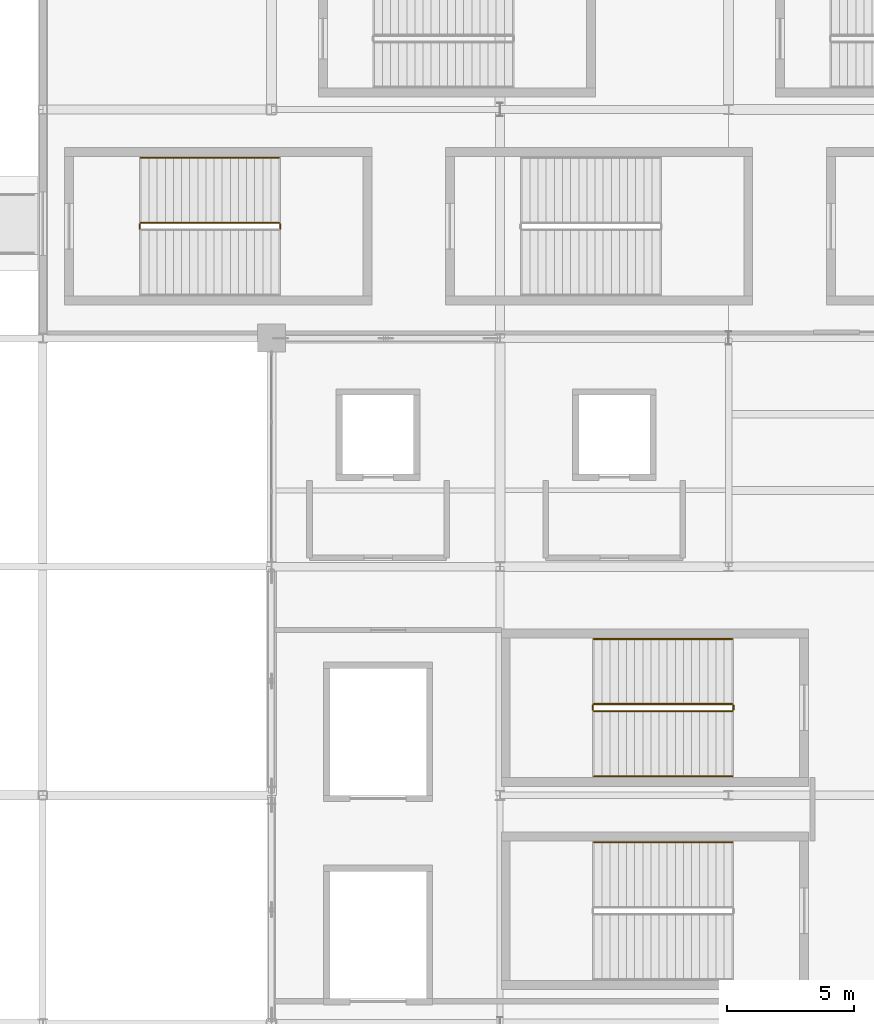
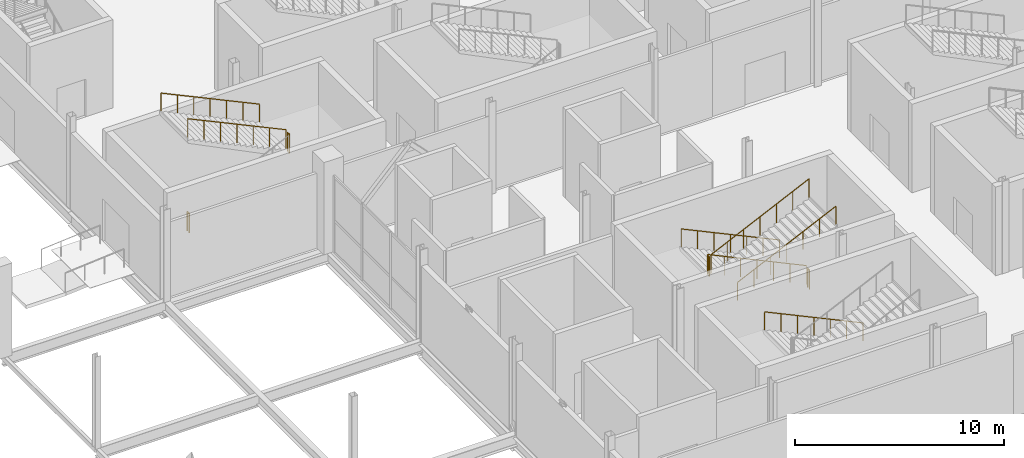
# One storey, part 89 of 94: 11 railings.
"""IFC4 building model written with IfcOpenShell, lengths in metres."""

import ifcopenshell
import ifcopenshell.guid

model = None  # the IFC model being written
_history = None  # IfcOwnerHistory: only IFC2X3 demands one
_inside = {}  # id of a spatial element -> (the spatial element, [elements in it])
_under = {}  # id of a project, library or spatial element -> (it, [spatial elements below it])
_declared = {}  # id of a project -> (the project, [libraries it declares])
_typed = {}  # id of a type object -> (the type object, [elements of that type])
_made_of = {}  # id of a material, layer set ... -> (it, [elements and type objects made of it])


def new_model(schema):
    """Start an empty IFC model of exactly this schema.

    Asked for "IFC4X3", IfcOpenShell would pick the latest addendum, in which some entities
    have other attributes; the version numbers below select the first issue.
    IFC2X3 requires an IfcOwnerHistory on every rooted entity: one is made here for all.
    """
    global model, _history
    if schema == "IFC4X3":
        model = ifcopenshell.file(schema_version=(4, 3, 0, 0))
    else:
        model = ifcopenshell.file(schema=schema)
    _inside.clear()
    _under.clear()
    _declared.clear()
    _typed.clear()
    _made_of.clear()
    _history = None
    if model.schema == "IFC2X3":
        org = make("IfcOrganization", Name="unknown")
        user = make(
            "IfcPersonAndOrganization",
            ThePerson=make("IfcPerson", FamilyName="unknown"),
            TheOrganization=org,
        )
        app = make(
            "IfcApplication",
            ApplicationDeveloper=org,
            Version="unknown",
            ApplicationFullName="unknown",
            ApplicationIdentifier="unknown",
        )
        _history = make(
            "IfcOwnerHistory",
            OwningUser=user,
            OwningApplication=app,
            ChangeAction="ADDED",
            CreationDate=0,
        )
    return model


def make(cls, **values):
    """One entity of the class cls with the attributes given. An attribute that is None is left unset."""
    return model.create_entity(
        cls, **{name: value for name, value in values.items() if value is not None}
    )


def rooted(cls, **values):
    """An entity with a GlobalId (a new one), such as an element, a storey or a relation."""
    return make(cls, GlobalId=ifcopenshell.guid.new(), OwnerHistory=_history, **values)


def si_unit(unit_type, name, prefix=None):
    """IfcSIUnit, for example si_unit("LENGTHUNIT", "METRE", prefix="MILLI")."""
    return make("IfcSIUnit", UnitType=unit_type, Prefix=prefix, Name=name)


def assignment(units):
    """IfcUnitAssignment: the units of a project."""
    return None if units is None else make("IfcUnitAssignment", Units=units)


def point(xyz):
    """IfcCartesianPoint."""
    return None if xyz is None else make("IfcCartesianPoint", Coordinates=xyz)


def direction(xyz):
    """IfcDirection."""
    return None if xyz is None else make("IfcDirection", DirectionRatios=xyz)


def frame(location, z_axis=None, x_axis=None):
    """IfcAxis2Placement3D, a coordinate frame: its origin and axes. An axis left out is left unset."""
    return make(
        "IfcAxis2Placement3D",
        Location=point(location),
        Axis=direction(z_axis),
        RefDirection=direction(x_axis),
    )


def frame_2d(location, x_axis=None):
    """IfcAxis2Placement2D, a coordinate frame in the plane: its origin and x axis."""
    return make(
        "IfcAxis2Placement2D", Location=point(location), RefDirection=direction(x_axis)
    )


def origin():
    """The frame at (0, 0, 0) with its axes left unset."""
    return frame((0.0, 0.0, 0.0))


def origin_2d():
    """The frame at (0, 0) in the plane with its x axis left unset."""
    return frame_2d((0.0, 0.0))


def place(relative_to, where):
    """IfcLocalPlacement: puts the frame where relative to a parent placement (None: the world)."""
    return make(
        "IfcLocalPlacement", PlacementRelTo=relative_to, RelativePlacement=where
    )


def context(
    kind, dimensions, precision=None, world=None, true_north=None, identifier=None
):
    """IfcGeometricRepresentationContext, for example the 3D "Model" context."""
    return make(
        "IfcGeometricRepresentationContext",
        ContextIdentifier=identifier,
        ContextType=kind,
        CoordinateSpaceDimension=dimensions,
        Precision=precision,
        WorldCoordinateSystem=world,
        TrueNorth=true_north,
    )


def subcontext(parent, identifier, kind, view, scale=None):
    """IfcGeometricRepresentationSubContext, for example "Body" below "Model"."""
    return make(
        "IfcGeometricRepresentationSubContext",
        ContextIdentifier=identifier,
        ContextType=kind,
        ParentContext=parent,
        TargetScale=scale,
        TargetView=view,
    )


def project(units=None, contexts=None):
    """IfcProject with its units and contexts."""
    return rooted(
        "IfcProject",
        Name="project",
        RepresentationContexts=contexts,
        UnitsInContext=assignment(units),
    )


def spatial(cls, under=None, at=None, **own):
    """A site, building, storey or space (cls), placed at a placement, below another one or the project."""
    s = rooted(cls, ObjectPlacement=at, **own)
    if under is not None:
        _under.setdefault(under.id(), (under, []))[1].append(s)
    return s


def profile(cls, at=None, kind="AREA", **sizes):
    """A parametric profile (cls). Its sizes go by their IFC names, for example OverallWidth=200.0."""
    return make(cls, ProfileType=kind, Position=at, **sizes)


def circle(**sizes):
    """IfcCircleProfileDef."""
    return profile("IfcCircleProfileDef", **sizes)


def extrude(swept, where, along, depth):
    """IfcExtrudedAreaSolid: the profile swept, set in the frame where, extruded along a direction by depth."""
    return make(
        "IfcExtrudedAreaSolid",
        SweptArea=swept,
        Position=where,
        ExtrudedDirection=direction(along),
        Depth=depth,
    )


def shape(context_of_items, identifier, shape_type, items):
    """IfcShapeRepresentation: the items that make up one representation, for example the "Body"."""
    return make(
        "IfcShapeRepresentation",
        ContextOfItems=context_of_items,
        RepresentationIdentifier=identifier,
        RepresentationType=shape_type,
        Items=items,
    )


def material(Name=None, Category=None):
    """IfcMaterial."""
    return make("IfcMaterial", Name=Name, Category=Category)


def made_of(thing, what):
    """Note that an element or type object is made of a material, layer set ...; save() writes the relation."""
    if what is not None:
        _made_of.setdefault(what.id(), (what, []))[1].append(thing)
    return thing


def type_object(cls, material=None, **own):
    """A type object (cls), such as IfcWallType, which elements share."""
    return made_of(rooted(cls, **own), material)


def element(
    cls,
    number,
    at=None,
    inside=None,
    cuts=None,
    type_object=None,
    material=None,
    context=None,
    identifier="Body",
    shape_type=None,
    held_by="IfcProductDefinitionShape",
    body=None,
    shapes=None,
    **own,
):
    """One element of the class cls, such as IfcWall. Its Tag is "e" and its number.

    at: its placement. inside: the storey or other place that contains it. cuts: it is an
    opening in that element (IfcRelVoidsElement). A single representation is given by context,
    identifier, shape_type and body (its items); several are given by shapes. held_by: the class
    of the entity that holds the representations. save() writes the other relations.
    """
    e = rooted(cls, Tag="e%d" % number, ObjectPlacement=at, **own)
    if body is not None:
        shapes = [shape(context, identifier, shape_type, body)]
    if shapes is not None:
        e.Representation = make(held_by, Representations=shapes)
    if inside is not None:
        _inside.setdefault(inside.id(), (inside, []))[1].append(e)
    if cuts is not None:
        rooted(
            "IfcRelVoidsElement", RelatingBuildingElement=cuts, RelatedOpeningElement=e
        )
    if type_object is not None:
        _typed.setdefault(type_object.id(), (type_object, []))[1].append(e)
    return made_of(e, material)


def aggregate(whole, parts):
    """IfcRelAggregates: a whole, such as a stair, and the parts it consists of."""
    return rooted("IfcRelAggregates", RelatingObject=whole, RelatedObjects=parts)


def save(model, path):
    """Write the relations noted so far, then the file.

    IfcRelAggregates (storeys below a building ...), IfcRelContainedInSpatialStructure (elements
    in a storey), IfcRelDefinesByType, IfcRelAssociatesMaterial and IfcRelDeclares: one each for
    every whole, place, type object, material and project.
    """
    for whole, parts in _under.values():
        aggregate(whole, parts)
    for where, things in _inside.values():
        rooted(
            "IfcRelContainedInSpatialStructure",
            RelatedElements=things,
            RelatingStructure=where,
        )
    for kind, things in _typed.values():
        rooted("IfcRelDefinesByType", RelatedObjects=things, RelatingType=kind)
    for what, things in _made_of.values():
        rooted("IfcRelAssociatesMaterial", RelatedObjects=things, RelatingMaterial=what)
    for by, libraries in _declared.values():
        rooted("IfcRelDeclares", RelatingContext=by, RelatedDefinitions=libraries)
    model.write(path)


model = new_model("IFC4")

# Units and contexts
model_context = context("Model", 3, precision=1e-05, world=origin(), true_north=direction((0.0, 1.0)))
body_context = subcontext(model_context, "Body", "Model", "MODEL_VIEW")
ifc_project = project(units=[si_unit("LENGTHUNIT", "METRE"), si_unit("AREAUNIT", "SQUARE_METRE"), si_unit("VOLUMEUNIT", "CUBIC_METRE"), si_unit("PLANEANGLEUNIT", "RADIAN"), si_unit("MASSUNIT", "GRAM", prefix="KILO")], contexts=[model_context])

# Site, building, storey
site_placement = place(None, origin())
site = spatial("IfcSite", under=ifc_project, at=site_placement, CompositionType="ELEMENT")
building_placement = place(site_placement, origin())
building = spatial("IfcBuilding", under=site, at=building_placement, Name="Qamarlyn Nura Convention Centre", CompositionType="ELEMENT")
storey_placement = place(building_placement, origin())
storey = spatial("IfcBuildingStorey", under=building, at=storey_placement, Name="L00", CompositionType="ELEMENT", Elevation=0.0)

# Railings
ifc_material = material(Name="Marine Grade 316 stainless steel", Category="steel")
railing_type_1 = type_object("IfcRailingType", Name="GRD-STAIR-112", PredefinedType="BALUSTRADE", material=ifc_material)
railing_1_placement = place(storey_placement, frame((171.139892578125, 66.590087890625, 0.14990234375)))
element("IfcRailing", 1, at=railing_1_placement, inside=storey, type_object=railing_type_1, Name="L00 ST-12 stair guard 1", PredefinedType="BALUSTRADE", context=body_context, shape_type="SweptSolid", body=[
    extrude(circle(Radius=0.02392578125, at=origin_2d()), frame((0.0, 0.0, 1.09619140625), z_axis=(-0.90545405566, 0.0, 0.424444287379), x_axis=(0.0, -1.0, 0.0)), (0.0, 0.0, 1.0), 6.008056640625),
    extrude(circle(Radius=0.02099609375, at=origin_2d()), origin(), (0.0, 0.0, 1.0), 1.070068359375),
    extrude(circle(Radius=0.02099609375, at=origin_2d()), frame((-0.90673828125, 0.0, 0.425048828125)), (0.0, 0.0, 1.0), 1.070068359375),
    extrude(circle(Radius=0.02099609375, at=origin_2d()), frame((-1.813232421875, 0.0, 0.85009765625)), (0.0, 0.0, 1.0), 1.070068359375),
    extrude(circle(Radius=0.02099609375, at=origin_2d()), frame((-2.719970703125, 0.0, 1.27490234375)), (0.0, 0.0, 1.0), 1.070068359375),
    extrude(circle(Radius=0.02099609375, at=origin_2d()), frame((-3.626708984375, 0.0, 1.699951171875)), (0.0, 0.0, 1.0), 1.070068359375),
    extrude(circle(Radius=0.02099609375, at=origin_2d()), frame((-4.533203125, 0.0, 2.125)), (0.0, 0.0, 1.0), 1.070068359375),
    extrude(circle(Radius=0.02099609375, at=origin_2d()), frame((-5.43994140625, 0.0, 2.550048828125)), (0.0, 0.0, 1.0), 1.070068359375),
])
railing_2_placement = place(storey_placement, frame((165.64990234375, 66.5400390625, 2.699951171875)))
element("IfcRailing", 2, at=railing_2_placement, inside=storey, type_object=railing_type_1, Name="L00 ST-12 stair guard 2", PredefinedType="BALUSTRADE", context=body_context, shape_type="SweptSolid", body=[
    extrude(circle(Radius=0.02392578125, at=origin_2d()), frame((0.0, 0.0, 1.09619140625), z_axis=(0.0, -1.0, 0.0), x_axis=(1.0, 0.0, 0.0)), (0.0, 0.0, 1.0), 0.179931640625),
    extrude(circle(Radius=0.02099609375, at=origin_2d()), origin(), (0.0, 0.0, 1.0), 1.070068359375),
    extrude(circle(Radius=0.02099609375, at=origin_2d()), frame((0.0, -0.179931640625, 0.0)), (0.0, 0.0, 1.0), 1.070068359375),
])
railing_3_placement = place(storey_placement, frame((165.699951171875, 66.31005859375, 2.85009765625)))
element("IfcRailing", 3, at=railing_3_placement, inside=storey, type_object=railing_type_1, Name="L00 ST-12 stair guard 3", PredefinedType="BALUSTRADE", context=body_context, shape_type="SweptSolid", body=[
    extrude(circle(Radius=0.02392578125, at=origin_2d()), frame((0.0, 0.0, 1.09619140625), z_axis=(0.90546967238, 0.0, 0.424410971113), x_axis=(0.0, 1.0, 0.0)), (0.0, 0.0, 1.0), 6.0078125),
    extrude(circle(Radius=0.02099609375, at=origin_2d()), origin(), (0.0, 0.0, 1.0), 1.070068359375),
    extrude(circle(Radius=0.02099609375, at=origin_2d()), frame((0.90673828125, 0.0, 0.425048828125)), (0.0, 0.0, 1.0), 1.070068359375),
    extrude(circle(Radius=0.02099609375, at=origin_2d()), frame((1.813232421875, 0.0, 0.849853515625)), (0.0, 0.0, 1.0), 1.070068359375),
    extrude(circle(Radius=0.02099609375, at=origin_2d()), frame((2.719970703125, 0.0, 1.27490234375)), (0.0, 0.0, 1.0), 1.070068359375),
    extrude(circle(Radius=0.02099609375, at=origin_2d()), frame((3.626708984375, 0.0, 1.699951171875)), (0.0, 0.0, 1.0), 1.070068359375),
    extrude(circle(Radius=0.02099609375, at=origin_2d()), frame((4.533203125, 0.0, 2.124755859375)), (0.0, 0.0, 1.0), 1.070068359375),
    extrude(circle(Radius=0.02099609375, at=origin_2d()), frame((5.43994140625, 0.0, 2.5498046875)), (0.0, 0.0, 1.0), 1.070068359375),
])
railing_4_placement = place(storey_placement, frame((171.18994140625, 66.5400390625, 0.0)))
element("IfcRailing", 4, at=railing_4_placement, inside=storey, type_object=railing_type_1, Name="L00 ST-12 stair guard 4", PredefinedType="BALUSTRADE", context=body_context, shape_type="SweptSolid", body=[
    extrude(circle(Radius=0.02392578125, at=origin_2d()), frame((0.0, 0.0, 1.09619140625), z_axis=(0.0, -1.0, 0.0), x_axis=(1.0, 0.0, 0.0)), (0.0, 0.0, 1.0), 0.179931640625),
    extrude(circle(Radius=0.02099609375, at=origin_2d()), origin(), (0.0, 0.0, 1.0), 1.070068359375),
    extrude(circle(Radius=0.02099609375, at=origin_2d()), frame((0.0, -0.179931640625, 0.0)), (0.0, 0.0, 1.0), 1.070068359375),
])
railing_5_placement = place(storey_placement, frame((153.35009765625, 85.31005859375, 2.699951171875)))
element("IfcRailing", 5, at=railing_5_placement, inside=storey, type_object=railing_type_1, Name="L00 ST-15 stair guard 2", PredefinedType="BALUSTRADE", context=body_context, shape_type="SweptSolid", body=[
    extrude(circle(Radius=0.02392578125, at=origin_2d()), frame((0.0, 0.0, 1.09619140625), z_axis=(0.0, 1.0, 0.0), x_axis=(-1.0, 0.0, 0.0)), (0.0, 0.0, 1.0), 0.179931640625),
    extrude(circle(Radius=0.02099609375, at=origin_2d()), origin(), (0.0, 0.0, 1.0), 1.070068359375),
    extrude(circle(Radius=0.02099609375, at=origin_2d()), frame((0.0, 0.179931640625, 0.0)), (0.0, 0.0, 1.0), 1.070068359375),
])
railing_6_placement = place(storey_placement, frame((153.300048828125, 85.5400390625, 2.85009765625)))
element("IfcRailing", 6, at=railing_6_placement, inside=storey, type_object=railing_type_1, Name="L00 ST-15 stair guard 3", PredefinedType="BALUSTRADE", context=body_context, shape_type="SweptSolid", body=[
    extrude(circle(Radius=0.02392578125, at=origin_2d()), frame((0.0, 0.0, 1.09619140625), z_axis=(-0.90546967238, 0.0, 0.424410971113), x_axis=(0.0, -1.0, 0.0)), (0.0, 0.0, 1.0), 6.0078125),
    extrude(circle(Radius=0.02099609375, at=origin_2d()), origin(), (0.0, 0.0, 1.0), 1.070068359375),
    extrude(circle(Radius=0.02099609375, at=origin_2d()), frame((-0.90673828125, 0.0, 0.425048828125)), (0.0, 0.0, 1.0), 1.070068359375),
    extrude(circle(Radius=0.02099609375, at=origin_2d()), frame((-1.813232421875, 0.0, 0.849853515625)), (0.0, 0.0, 1.0), 1.070068359375),
    extrude(circle(Radius=0.02099609375, at=origin_2d()), frame((-2.719970703125, 0.0, 1.27490234375)), (0.0, 0.0, 1.0), 1.070068359375),
    extrude(circle(Radius=0.02099609375, at=origin_2d()), frame((-3.626708984375, 0.0, 1.699951171875)), (0.0, 0.0, 1.0), 1.070068359375),
    extrude(circle(Radius=0.02099609375, at=origin_2d()), frame((-4.533203125, 0.0, 2.124755859375)), (0.0, 0.0, 1.0), 1.070068359375),
    extrude(circle(Radius=0.02099609375, at=origin_2d()), frame((-5.43994140625, 0.0, 2.5498046875)), (0.0, 0.0, 1.0), 1.070068359375),
])
railing_7_placement = place(storey_placement, frame((147.81005859375, 85.31005859375, 0.0)))
element("IfcRailing", 7, at=railing_7_placement, inside=storey, type_object=railing_type_1, Name="L00 ST-15 stair guard 4", PredefinedType="BALUSTRADE", context=body_context, shape_type="SweptSolid", body=[
    extrude(circle(Radius=0.02392578125, at=origin_2d()), frame((0.0, 0.0, 1.09619140625), z_axis=(0.0, 1.0, 0.0), x_axis=(-1.0, 0.0, 0.0)), (0.0, 0.0, 1.0), 0.179931640625),
    extrude(circle(Radius=0.02099609375, at=origin_2d()), origin(), (0.0, 0.0, 1.0), 1.070068359375),
    extrude(circle(Radius=0.02099609375, at=origin_2d()), frame((0.0, 0.179931640625, 0.0)), (0.0, 0.0, 1.0), 1.070068359375),
])
railing_type_2 = type_object("IfcRailingType", Name="HRL-STAIR-090", PredefinedType="HANDRAIL", material=ifc_material)
for number, where, name in (
    (8, (171.139892578125, 61.14990234375, 0.30224609375), "L00 ST-11 stair handrail 1"),
    (9, (171.139892578125, 69.14990234375, 0.30224609375), "L00 ST-12 stair handrail 1"),
):
    element("IfcRailing", number, at=place(storey_placement, frame(where)), inside=storey, type_object=railing_type_2, Name=name, PredefinedType="HANDRAIL", context=body_context, shape_type="SweptSolid", body=[
        extrude(circle(Radius=0.02392578125, at=origin_2d()), frame((0.0, 0.0, 0.88818359375), z_axis=(-0.90545405566, 0.0, 0.424444287379), x_axis=(0.0, -1.0, 0.0)), (0.0, 0.0, 1.0), 6.008056640625),
        extrude(circle(Radius=0.02099609375, at=origin_2d()), frame((0.0, 0.0, -0.155029296875)), (0.0, 0.0, 1.0), 1.01708984375),
        extrude(circle(Radius=0.02099609375, at=origin_2d()), frame((-0.90673828125, 0.0, 0.27001953125)), (0.0, 0.0, 1.0), 1.01708984375),
        extrude(circle(Radius=0.02099609375, at=origin_2d()), frame((-1.813232421875, 0.0, 0.695068359375)), (0.0, 0.0, 1.0), 1.01708984375),
        extrude(circle(Radius=0.02099609375, at=origin_2d()), frame((-2.719970703125, 0.0, 1.1201171875)), (0.0, 0.0, 1.0), 1.01708984375),
        extrude(circle(Radius=0.02099609375, at=origin_2d()), frame((-3.626708984375, 0.0, 1.544921875)), (0.0, 0.0, 1.0), 1.01708984375),
        extrude(circle(Radius=0.02099609375, at=origin_2d()), frame((-4.533203125, 0.0, 1.969970703125)), (0.0, 0.0, 1.0), 1.01708984375),
        extrude(circle(Radius=0.02099609375, at=origin_2d()), frame((-5.43994140625, 0.0, 2.39501953125)), (0.0, 0.0, 1.0), 1.01708984375),
    ])
railing_8_placement = place(storey_placement, frame((165.699951171875, 63.75, 3.002197265625)))
element("IfcRailing", 10, at=railing_8_placement, inside=storey, type_object=railing_type_2, Name="L00 ST-12 stair handrail 2", PredefinedType="HANDRAIL", context=body_context, shape_type="SweptSolid", body=[
    extrude(circle(Radius=0.02392578125, at=origin_2d()), frame((0.0, 0.0, 0.88818359375), z_axis=(0.90545405566, 0.0, 0.424444287379), x_axis=(0.0, 1.0, 0.0)), (0.0, 0.0, 1.0), 6.008056640625),
    extrude(circle(Radius=0.02099609375, at=origin_2d()), frame((0.0, 0.0, -0.155029296875)), (0.0, 0.0, 1.0), 1.01708984375),
    extrude(circle(Radius=0.02099609375, at=origin_2d()), frame((0.90673828125, 0.0, 0.27001953125)), (0.0, 0.0, 1.0), 1.01708984375),
    extrude(circle(Radius=0.02099609375, at=origin_2d()), frame((1.813232421875, 0.0, 0.695068359375)), (0.0, 0.0, 1.0), 1.01708984375),
    extrude(circle(Radius=0.02099609375, at=origin_2d()), frame((2.719970703125, 0.0, 1.1201171875)), (0.0, 0.0, 1.0), 1.01708984375),
    extrude(circle(Radius=0.02099609375, at=origin_2d()), frame((3.626708984375, 0.0, 1.544921875)), (0.0, 0.0, 1.0), 1.01708984375),
    extrude(circle(Radius=0.02099609375, at=origin_2d()), frame((4.533203125, 0.0, 1.969970703125)), (0.0, 0.0, 1.0), 1.01708984375),
    extrude(circle(Radius=0.02099609375, at=origin_2d()), frame((5.43994140625, 0.0, 2.39501953125)), (0.0, 0.0, 1.0), 1.01708984375),
])
railing_9_placement = place(storey_placement, frame((153.300048828125, 88.10009765625, 3.002197265625)))
element("IfcRailing", 11, at=railing_9_placement, inside=storey, type_object=railing_type_2, Name="L00 ST-15 stair handrail 2", PredefinedType="HANDRAIL", context=body_context, shape_type="SweptSolid", body=[
    extrude(circle(Radius=0.02392578125, at=origin_2d()), frame((0.0, 0.0, 0.88818359375), z_axis=(-0.90545405566, 0.0, 0.424444287379), x_axis=(0.0, -1.0, 0.0)), (0.0, 0.0, 1.0), 6.008056640625),
    extrude(circle(Radius=0.02099609375, at=origin_2d()), frame((0.0, 0.0, -0.155029296875)), (0.0, 0.0, 1.0), 1.01708984375),
    extrude(circle(Radius=0.02099609375, at=origin_2d()), frame((-0.90673828125, 0.0, 0.27001953125)), (0.0, 0.0, 1.0), 1.01708984375),
    extrude(circle(Radius=0.02099609375, at=origin_2d()), frame((-1.813232421875, 0.0, 0.695068359375)), (0.0, 0.0, 1.0), 1.01708984375),
    extrude(circle(Radius=0.02099609375, at=origin_2d()), frame((-2.719970703125, 0.0, 1.1201171875)), (0.0, 0.0, 1.0), 1.01708984375),
    extrude(circle(Radius=0.02099609375, at=origin_2d()), frame((-3.626708984375, 0.0, 1.544921875)), (0.0, 0.0, 1.0), 1.01708984375),
    extrude(circle(Radius=0.02099609375, at=origin_2d()), frame((-4.533203125, 0.0, 1.969970703125)), (0.0, 0.0, 1.0), 1.01708984375),
    extrude(circle(Radius=0.02099609375, at=origin_2d()), frame((-5.43994140625, 0.0, 2.39501953125)), (0.0, 0.0, 1.0), 1.01708984375),
])

save(model, "model.ifc")
